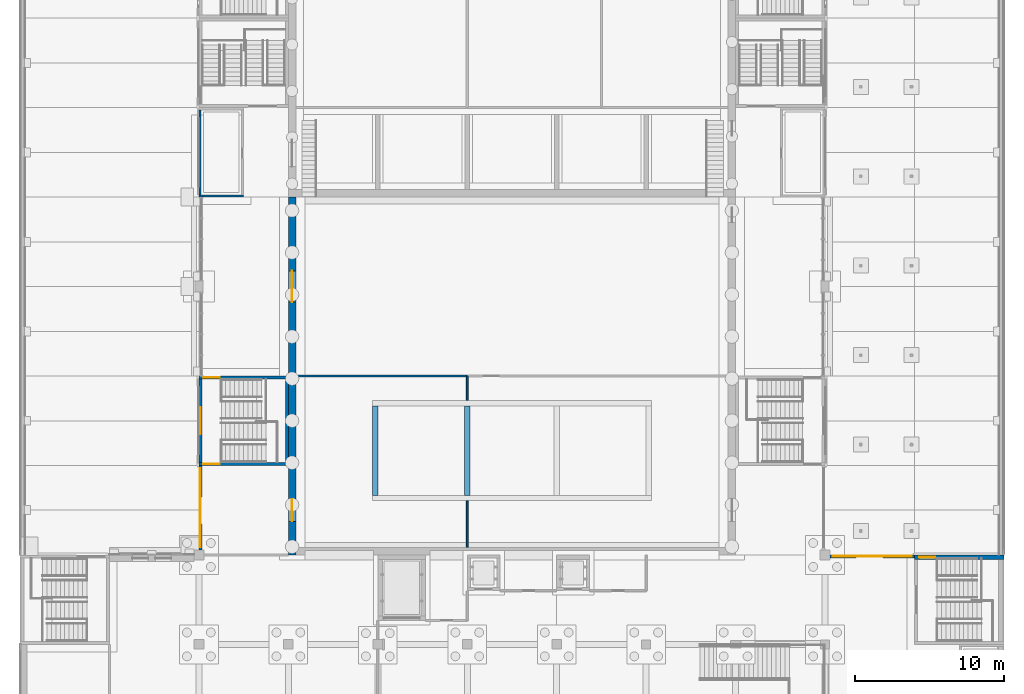
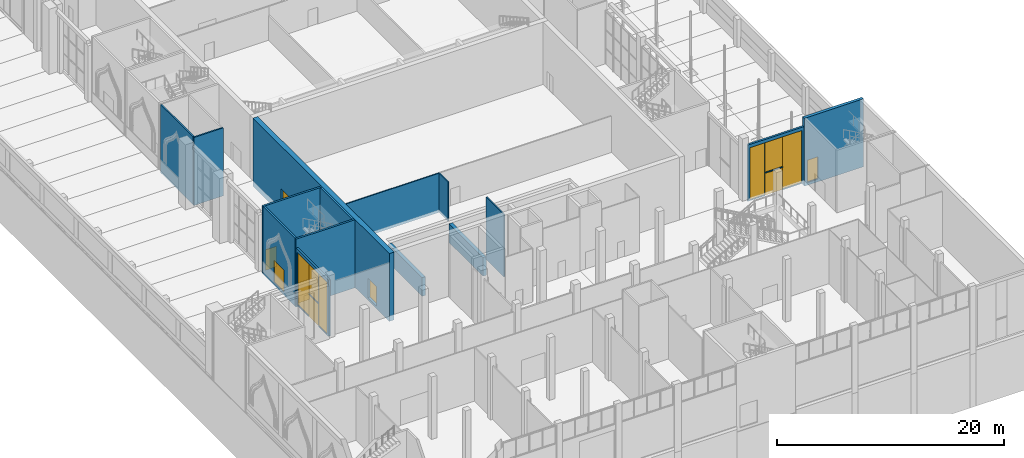
# One storey, part 43 of 95: 15 walls, 8 doors, 6 windows, 14 openings.
"""IFC4 building model written with IfcOpenShell, lengths in metres."""

from ifc_helpers import new_model, si_unit, direction, frame, frame_2d, origin, place, context, subcontext, project, spatial, rectangle, extrude, material, layer, layer_set, type_object, element, fill, save


model = new_model("IFC4")

# Units and contexts
model_context = context("Model", 3, precision=1e-05, world=origin(), true_north=direction((0.0, 1.0)))
body_context = subcontext(model_context, "Body", "Model", "MODEL_VIEW")
ifc_project = project(units=[si_unit("LENGTHUNIT", "METRE"), si_unit("AREAUNIT", "SQUARE_METRE"), si_unit("VOLUMEUNIT", "CUBIC_METRE"), si_unit("PLANEANGLEUNIT", "RADIAN"), si_unit("MASSUNIT", "GRAM", prefix="KILO")], contexts=[model_context])

# Site, building, storey
site_placement = place(None, origin())
site = spatial("IfcSite", under=ifc_project, at=site_placement, CompositionType="ELEMENT")
building_placement = place(site_placement, origin())
building = spatial("IfcBuilding", under=site, at=building_placement, Name="Saffron Lane Theatres", CompositionType="ELEMENT")
storey_placement = place(building_placement, origin())
storey = spatial("IfcBuildingStorey", under=building, at=storey_placement, Name="L00", CompositionType="ELEMENT", Elevation=0.0)

# Wall, openings, door, windows
ifc_material_1 = material(Name="Aluminium", Category="aluminium")
ifc_layer_1 = layer(ifc_material_1, 0.199951171875)
ifc_layer_set_1 = layer_set([ifc_layer_1], Name="Aluminium")
wall_type_1 = type_object("IfcWallType", Name="EX-SCREEN ALUMINIUM 200", PredefinedType="SOLIDWALL", material=ifc_layer_set_1)
wall_1_placement = place(storey_placement, frame((12.10009765625, 30.324951171875, 0.0), z_axis=(0.0, 0.0, 1.0), x_axis=(0.0, 1.0, 0.0)))
wall_1 = element("IfcWall", 1, at=wall_1_placement, inside=storey, type_object=wall_type_1, Name="External wall L00 02", PredefinedType="SOLIDWALL", context=body_context, shape_type="SweptSolid", body=[
    extrude(rectangle(XDim=5.675048828125, YDim=0.199951171875, at=frame_2d((2.83740234375, 0.0))), origin(), (0.0, 0.0, 1.0), 6.050048828125),
])
opening_1_placement = place(wall_1_placement, frame((1.7451171875, 0.0, 0.0)))
opening_1 = element("IfcOpeningElement", 2, at=opening_1_placement, cuts=wall_1, Name="Opening ED00-01", PredefinedType="OPENING", context=body_context, shape_type="SweptSolid", body=[
    extrude(rectangle(XDim=1.800048828125, YDim=2.39990234375, at=frame_2d((0.89990234375, 1.199951171875))), frame((0.0, 0.10986328125, 0.0), z_axis=(0.0, -1.0, 0.0), x_axis=(1.0, 0.0, 0.0)), (0.0, 0.0, 1.0), 0.219970703125),
])
opening_2_placement = place(wall_1_placement, frame((1.7451171875, 0.0, 2.5)))
opening_2 = element("IfcOpeningElement", 3, at=opening_2_placement, cuts=wall_1, Name="Opening WN00-003", PredefinedType="OPENING", context=body_context, shape_type="SweptSolid", body=[
    extrude(rectangle(XDim=1.800048828125, YDim=3.199951171875, at=frame_2d((0.89990234375, 1.60009765625))), frame((0.0, 0.10986328125, 0.0), z_axis=(0.0, -1.0, 0.0), x_axis=(1.0, 0.0, 0.0)), (0.0, 0.0, 1.0), 0.219970703125),
])
opening_3_placement = place(wall_1_placement, frame((0.199951171875, 0.0, 0.10009765625)))
opening_3 = element("IfcOpeningElement", 4, at=opening_3_placement, cuts=wall_1, Name="Opening WN00-004", PredefinedType="OPENING", context=body_context, shape_type="SweptSolid", body=[
    extrude(rectangle(XDim=1.544921875, YDim=5.60009765625, at=frame_2d((0.7724609375, 2.800048828125))), frame((0.0, 0.10986328125, 0.0), z_axis=(0.0, -1.0, 0.0), x_axis=(1.0, 0.0, 0.0)), (0.0, 0.0, 1.0), 0.219970703125),
])
opening_4_placement = place(wall_1_placement, frame((3.544921875, 0.0, 0.10009765625)))
opening_4 = element("IfcOpeningElement", 5, at=opening_4_placement, cuts=wall_1, Name="Opening WN00-005", PredefinedType="OPENING", context=body_context, shape_type="SweptSolid", body=[
    extrude(rectangle(XDim=1.929931640625, YDim=5.60009765625, at=frame_2d((0.96484375, 2.800048828125))), frame((0.0, 0.10986328125, 0.0), z_axis=(0.0, -1.0, 0.0), x_axis=(1.0, 0.0, 0.0)), (0.0, 0.0, 1.0), 0.219970703125),
])
ifc_material_2 = material(Name="Aluminium and glass door leaves", Category="aluminium")
door_type_1 = type_object("IfcDoorType", Name="EX-ENTRANCE DOOR PAIR 1800x2400", OperationType="DOUBLE_DOOR_SINGLE_SWING", PredefinedType="DOOR", material=ifc_material_2)
door_1_placement = place(opening_1_placement, origin())
door_1 = element("IfcDoor", 6, at=door_1_placement, inside=storey, type_object=door_type_1, Name="Stage Door Vestibule West door", OperationType="DOUBLE_DOOR_SINGLE_SWING", OverallHeight=2.39990234375, OverallWidth=1.800048828125, PredefinedType="DOOR", context=body_context, shape_type="SweptSolid", body=[
    extrude(rectangle(XDim=1.800048828125, YDim=2.39990234375, at=frame_2d((0.89990234375, 1.199951171875))), frame((0.0, 0.02490234375, 0.0), z_axis=(0.0, -1.0, 0.0), x_axis=(1.0, 0.0, 0.0)), (0.0, 0.0, 1.0), 0.050048828125),
])
fill(opening_1, door_1)
ifc_material_3 = material(Name="Aluminium", Category="aluminium")
window_type_1 = type_object("IfcWindowType", Name="EX-WINDOW 1545x5600", PartitioningType="SINGLE_PANEL", PredefinedType="WINDOW", material=ifc_material_3)
window_1_placement = place(opening_3_placement, origin())
window_1 = element("IfcWindow", 7, at=window_1_placement, inside=storey, type_object=window_type_1, Name="Window L00 004", OverallHeight=5.60009765625, OverallWidth=1.544921875, PartitioningType="SINGLE_PANEL", PredefinedType="WINDOW", context=body_context, shape_type="SweptSolid", body=[
    extrude(rectangle(XDim=1.544921875, YDim=5.60009765625, at=frame_2d((0.7724609375, 2.800048828125))), frame((0.0, 0.030029296875, 0.0), z_axis=(0.0, -1.0, 0.0), x_axis=(1.0, 0.0, 0.0)), (0.0, 0.0, 1.0), 0.06005859375),
])
fill(opening_3, window_1)
ifc_material_4 = material(Name="Aluminium", Category="aluminium")
window_type_2 = type_object("IfcWindowType", Name="EX-WINDOW 1800x3200", PartitioningType="SINGLE_PANEL", PredefinedType="WINDOW", material=ifc_material_4)
window_2_placement = place(opening_2_placement, origin())
window_2 = element("IfcWindow", 8, at=window_2_placement, inside=storey, type_object=window_type_2, Name="Window L00 003", OverallHeight=3.199951171875, OverallWidth=1.800048828125, PartitioningType="SINGLE_PANEL", PredefinedType="WINDOW", context=body_context, shape_type="SweptSolid", body=[
    extrude(rectangle(XDim=1.800048828125, YDim=3.199951171875, at=frame_2d((0.89990234375, 1.60009765625))), frame((0.0, 0.030029296875, 0.0), z_axis=(0.0, -1.0, 0.0), x_axis=(1.0, 0.0, 0.0)), (0.0, 0.0, 1.0), 0.06005859375),
])
fill(opening_2, window_2)
ifc_material_5 = material(Name="Aluminium", Category="aluminium")
window_type_3 = type_object("IfcWindowType", Name="EX-WINDOW 1930x5600", PartitioningType="SINGLE_PANEL", PredefinedType="WINDOW", material=ifc_material_5)
window_3_placement = place(opening_4_placement, origin())
window_3 = element("IfcWindow", 9, at=window_3_placement, inside=storey, type_object=window_type_3, Name="Window L00 005", OverallHeight=5.60009765625, OverallWidth=1.929931640625, PartitioningType="SINGLE_PANEL", PredefinedType="WINDOW", context=body_context, shape_type="SweptSolid", body=[
    extrude(rectangle(XDim=1.929931640625, YDim=5.60009765625, at=frame_2d((0.96484375, 2.800048828125))), frame((0.0, 0.030029296875, 0.0), z_axis=(0.0, -1.0, 0.0), x_axis=(1.0, 0.0, 0.0)), (0.0, 0.0, 1.0), 0.06005859375),
])
fill(opening_4, window_3)

wall_2_placement = place(storey_placement, frame((54.324951171875, 29.89990234375, 0.0), z_axis=(0.0, 0.0, 1.0), x_axis=(1.0, 0.0, 0.0)))
wall_2 = element("IfcWall", 10, at=wall_2_placement, inside=storey, type_object=wall_type_1, Name="External wall L00 17", PredefinedType="SOLIDWALL", context=body_context, shape_type="SweptSolid", body=[
    extrude(rectangle(XDim=5.675048828125, YDim=0.199951171875, at=frame_2d((2.83740234375, 0.0))), origin(), (0.0, 0.0, 1.0), 6.050048828125),
])
opening_5_placement = place(wall_2_placement, frame((1.7451171875, 0.0, 0.0)))
opening_5 = element("IfcOpeningElement", 11, at=opening_5_placement, cuts=wall_2, Name="Opening ED00-08", PredefinedType="OPENING", context=body_context, shape_type="SweptSolid", body=[
    extrude(rectangle(XDim=1.800048828125, YDim=2.39990234375, at=frame_2d((0.89990234375, 1.199951171875))), frame((0.0, 0.10986328125, 0.0), z_axis=(0.0, -1.0, 0.0), x_axis=(1.0, 0.0, 0.0)), (0.0, 0.0, 1.0), 0.219970703125),
])
opening_6_placement = place(wall_2_placement, frame((1.7451171875, 0.0, 2.5)))
opening_6 = element("IfcOpeningElement", 12, at=opening_6_placement, cuts=wall_2, Name="Opening WN00-022", PredefinedType="OPENING", context=body_context, shape_type="SweptSolid", body=[
    extrude(rectangle(XDim=1.800048828125, YDim=3.199951171875, at=frame_2d((0.89990234375, 1.60009765625))), frame((0.0, 0.10986328125, 0.0), z_axis=(0.0, -1.0, 0.0), x_axis=(1.0, 0.0, 0.0)), (0.0, 0.0, 1.0), 0.219970703125),
])
opening_7_placement = place(wall_2_placement, frame((0.199951171875, 0.0, 0.10009765625)))
opening_7 = element("IfcOpeningElement", 13, at=opening_7_placement, cuts=wall_2, Name="Opening WN00-023", PredefinedType="OPENING", context=body_context, shape_type="SweptSolid", body=[
    extrude(rectangle(XDim=1.544921875, YDim=5.60009765625, at=frame_2d((0.7724609375, 2.800048828125))), frame((0.0, 0.10986328125, 0.0), z_axis=(0.0, -1.0, 0.0), x_axis=(1.0, 0.0, 0.0)), (0.0, 0.0, 1.0), 0.219970703125),
])
opening_8_placement = place(wall_2_placement, frame((3.544921875, 0.0, 0.10009765625)))
opening_8 = element("IfcOpeningElement", 14, at=opening_8_placement, cuts=wall_2, Name="Opening WN00-024", PredefinedType="OPENING", context=body_context, shape_type="SweptSolid", body=[
    extrude(rectangle(XDim=1.929931640625, YDim=5.60009765625, at=frame_2d((0.96484375, 2.800048828125))), frame((0.0, 0.10986328125, 0.0), z_axis=(0.0, -1.0, 0.0), x_axis=(1.0, 0.0, 0.0)), (0.0, 0.0, 1.0), 0.219970703125),
])
door_2_placement = place(opening_5_placement, origin())
door_2 = element("IfcDoor", 15, at=door_2_placement, inside=storey, type_object=door_type_1, Name="Studio Foyer door", OperationType="DOUBLE_DOOR_SINGLE_SWING", OverallHeight=2.39990234375, OverallWidth=1.800048828125, PredefinedType="DOOR", context=body_context, shape_type="SweptSolid", body=[
    extrude(rectangle(XDim=1.800048828125, YDim=2.39990234375, at=frame_2d((0.89990234375, 1.199951171875))), frame((0.0, 0.02490234375, 0.0), z_axis=(0.0, -1.0, 0.0), x_axis=(1.0, 0.0, 0.0)), (0.0, 0.0, 1.0), 0.050048828125),
])
fill(opening_5, door_2)
window_4_placement = place(opening_7_placement, origin())
window_4 = element("IfcWindow", 16, at=window_4_placement, inside=storey, type_object=window_type_1, Name="Window L00 023", OverallHeight=5.60009765625, OverallWidth=1.544921875, PartitioningType="SINGLE_PANEL", PredefinedType="WINDOW", context=body_context, shape_type="SweptSolid", body=[
    extrude(rectangle(XDim=1.544921875, YDim=5.60009765625, at=frame_2d((0.7724609375, 2.800048828125))), frame((0.0, 0.030029296875, 0.0), z_axis=(0.0, -1.0, 0.0), x_axis=(1.0, 0.0, 0.0)), (0.0, 0.0, 1.0), 0.06005859375),
])
fill(opening_7, window_4)
window_5_placement = place(opening_6_placement, origin())
window_5 = element("IfcWindow", 17, at=window_5_placement, inside=storey, type_object=window_type_2, Name="Window L00 022", OverallHeight=3.199951171875, OverallWidth=1.800048828125, PartitioningType="SINGLE_PANEL", PredefinedType="WINDOW", context=body_context, shape_type="SweptSolid", body=[
    extrude(rectangle(XDim=1.800048828125, YDim=3.199951171875, at=frame_2d((0.89990234375, 1.60009765625))), frame((0.0, 0.030029296875, 0.0), z_axis=(0.0, -1.0, 0.0), x_axis=(1.0, 0.0, 0.0)), (0.0, 0.0, 1.0), 0.06005859375),
])
fill(opening_6, window_5)
window_6_placement = place(opening_8_placement, origin())
window_6 = element("IfcWindow", 18, at=window_6_placement, inside=storey, type_object=window_type_3, Name="Window L00 024", OverallHeight=5.60009765625, OverallWidth=1.929931640625, PartitioningType="SINGLE_PANEL", PredefinedType="WINDOW", context=body_context, shape_type="SweptSolid", body=[
    extrude(rectangle(XDim=1.929931640625, YDim=5.60009765625, at=frame_2d((0.96484375, 2.800048828125))), frame((0.0, 0.030029296875, 0.0), z_axis=(0.0, -1.0, 0.0), x_axis=(1.0, 0.0, 0.0)), (0.0, 0.0, 1.0), 0.06005859375),
])
fill(opening_8, window_6)

# Walls
ifc_material_6 = material(Name="Masonry block partition", Category="masonry")
ifc_layer_2 = layer(ifc_material_6, 0.110107421875)
ifc_layer_set_2 = layer_set([ifc_layer_2], Name="Masonry block partition")
wall_type_2 = type_object("IfcWallType", Name="IN-BLOCK PARTITION 110", PredefinedType="PARTITIONING", material=ifc_layer_set_2)
wall_3_placement = place(storey_placement, frame((18.52001953125, 42.0, 0.0), z_axis=(0.0, 0.0, 1.0), x_axis=(1.0, 0.0, 0.0)))
element("IfcWall", 19, at=wall_3_placement, inside=storey, type_object=wall_type_2, Name="PW-L00-001", PredefinedType="PARTITIONING", context=body_context, shape_type="SweptSolid", body=[
    extrude(rectangle(XDim=11.47998046875, YDim=0.110107421875, at=frame_2d((5.739990234375, 0.0))), origin(), (0.0, 0.0, 1.0), 4.199951171875),
])
wall_4_placement = place(storey_placement, frame((30.0, 40.3701171875, 0.0), z_axis=(0.0, 0.0, 1.0), x_axis=(0.0, 1.0, 0.0)))
element("IfcWall", 20, at=wall_4_placement, inside=storey, type_object=wall_type_2, Name="PW-L00-002", PredefinedType="PARTITIONING", context=body_context, shape_type="SweptSolid", body=[
    extrude(rectangle(XDim=1.6298828125, YDim=0.110107421875, at=frame_2d((0.81494140625, 0.0))), origin(), (0.0, 0.0, 1.0), 4.199951171875),
])
wall_5_placement = place(storey_placement, frame((30.0, 30.52001953125, 0.0), z_axis=(0.0, 0.0, 1.0), x_axis=(0.0, 1.0, 0.0)))
element("IfcWall", 21, at=wall_5_placement, inside=storey, type_object=wall_type_2, Name="PW-L00-003", PredefinedType="PARTITIONING", context=body_context, shape_type="SweptSolid", body=[
    extrude(rectangle(XDim=3.10986328125, YDim=0.110107421875, at=frame_2d((1.554931640625, 0.0))), origin(), (0.0, 0.0, 1.0), 6.699951171875),
])
ifc_material_7 = material(Name="Concrete N50 (50 MPa)", Category="concrete")
ifc_layer_3 = layer(ifc_material_7, 0.14990234375)
ifc_layer_set_3 = layer_set([ifc_layer_3], Name="Concrete N50 (50 MPa)")
wall_type_3 = type_object("IfcWallType", Name="RC-CORE 150", PredefinedType="SHEAR", material=ifc_layer_set_3)
wall_6_placement = place(storey_placement, frame((12.0, 54.074951171875, -0.300048828125), z_axis=(0.0, 0.0, 1.0), x_axis=(1.0, 0.0, 0.0)))
element("IfcWall", 22, at=wall_6_placement, inside=storey, type_object=wall_type_3, Name="W-R3-S-L00", PredefinedType="SHEAR", context=body_context, shape_type="SweptSolid", body=[
    extrude(rectangle(XDim=3.0, YDim=0.14990234375, at=frame_2d((1.5, 0.0))), origin(), (0.0, 0.0, 1.0), 7.300048828125),
])

# Wall, opening, door
ifc_material_8 = material(Name="Concrete N50 (50 MPa)", Category="concrete")
ifc_layer_4 = layer(ifc_material_8, 0.199951171875)
ifc_layer_set_4 = layer_set([ifc_layer_4], Name="Concrete N50 (50 MPa)")
wall_type_4 = type_object("IfcWallType", Name="RC-CORE 200", PredefinedType="SHEAR", material=ifc_layer_set_4)
wall_7_placement = place(storey_placement, frame((12.0, 41.89990234375, -0.300048828125), z_axis=(0.0, 0.0, 1.0), x_axis=(1.0, 0.0, 0.0)))
wall_7 = element("IfcWall", 23, at=wall_7_placement, inside=storey, type_object=wall_type_4, Name="W-ST5-N-L00", PredefinedType="SHEAR", context=body_context, shape_type="SweptSolid", body=[
    extrude(rectangle(XDim=6.0, YDim=0.199951171875, at=frame_2d((3.0, 0.0))), origin(), (0.0, 0.0, 1.0), 7.300048828125),
])
opening_9_placement = place(wall_7_placement, frame((0.300048828125, 0.0, 0.300048828125)))
opening_9 = element("IfcOpeningElement", 24, at=opening_9_placement, cuts=wall_7, Name="Opening D00-40", PredefinedType="OPENING", context=body_context, shape_type="SweptSolid", body=[
    extrude(rectangle(XDim=1.10009765625, YDim=2.199951171875, at=frame_2d((0.550048828125, 1.10009765625))), frame((0.0, 0.10986328125, 0.0), z_axis=(0.0, -1.0, 0.0), x_axis=(1.0, 0.0, 0.0)), (0.0, 0.0, 1.0), 0.219970703125),
])
ifc_material_9 = material(Name="Steel faced fire door leaf", Category="steel")
door_type_2 = type_object("IfcDoorType", Name="IN-DOOR 1100x2200 FD120", OperationType="NOTDEFINED", PredefinedType="DOOR", material=ifc_material_9)
door_3_placement = place(opening_9_placement, frame((1.10009765625, 0.0, 0.0), z_axis=(0.0, 0.0, 1.0), x_axis=(-1.0, 0.0, 0.0)))
door_3 = element("IfcDoor", 25, at=door_3_placement, inside=storey, type_object=door_type_2, Name="D00-40", OperationType="SINGLE_SWING_LEFT", OverallHeight=2.199951171875, OverallWidth=1.10009765625, PredefinedType="DOOR", context=body_context, shape_type="SweptSolid", body=[
    extrude(rectangle(XDim=1.10009765625, YDim=2.199951171875, at=frame_2d((0.550048828125, 1.10009765625))), frame((0.0, 0.02490234375, 0.0), z_axis=(0.0, -1.0, 0.0), x_axis=(1.0, 0.0, 0.0)), (0.0, 0.0, 1.0), 0.050048828125),
])
fill(opening_9, door_3)

wall_8_placement = place(storey_placement, frame((12.0, 36.10009765625, -0.300048828125), z_axis=(0.0, 0.0, 1.0), x_axis=(1.0, 0.0, 0.0)))
wall_8 = element("IfcWall", 26, at=wall_8_placement, inside=storey, type_object=wall_type_4, Name="W-ST5-S-L00", PredefinedType="SHEAR", context=body_context, shape_type="SweptSolid", body=[
    extrude(rectangle(XDim=6.0, YDim=0.199951171875, at=frame_2d((3.0, 0.0))), origin(), (0.0, 0.0, 1.0), 7.300048828125),
])
opening_10_placement = place(wall_8_placement, frame((0.300048828125, 0.0, 0.300048828125)))
opening_10 = element("IfcOpeningElement", 27, at=opening_10_placement, cuts=wall_8, Name="Opening D00-39", PredefinedType="OPENING", context=body_context, shape_type="SweptSolid", body=[
    extrude(rectangle(XDim=1.10009765625, YDim=2.199951171875, at=frame_2d((0.550048828125, 1.10009765625))), frame((0.0, 0.10986328125, 0.0), z_axis=(0.0, -1.0, 0.0), x_axis=(1.0, 0.0, 0.0)), (0.0, 0.0, 1.0), 0.219970703125),
])
door_4_placement = place(opening_10_placement, origin())
door_4 = element("IfcDoor", 28, at=door_4_placement, inside=storey, type_object=door_type_2, Name="D00-39", OperationType="SINGLE_SWING_RIGHT", OverallHeight=2.199951171875, OverallWidth=1.10009765625, PredefinedType="DOOR", context=body_context, shape_type="SweptSolid", body=[
    extrude(rectangle(XDim=1.10009765625, YDim=2.199951171875, at=frame_2d((0.550048828125, 1.10009765625))), frame((0.0, 0.02490234375, 0.0), z_axis=(0.0, -1.0, 0.0), x_axis=(1.0, 0.0, 0.0)), (0.0, 0.0, 1.0), 0.050048828125),
])
fill(opening_10, door_4)

# Walls
wall_9_placement = place(storey_placement, frame((17.89990234375, 36.199951171875, -0.300048828125), z_axis=(0.0, 0.0, 1.0), x_axis=(0.0, 1.0, 0.0)))
element("IfcWall", 29, at=wall_9_placement, inside=storey, type_object=wall_type_4, Name="W-ST5-E-L00", PredefinedType="SHEAR", context=body_context, shape_type="SweptSolid", body=[
    extrude(rectangle(XDim=5.60009765625, YDim=0.199951171875, at=frame_2d((2.800048828125, 0.0))), origin(), (0.0, 0.0, 1.0), 7.300048828125),
])
ifc_material_10 = material(Name="Concrete N50 (50 MPa)", Category="concrete")
ifc_layer_5 = layer(ifc_material_10, 0.14990234375)
ifc_layer_set_5 = layer_set([ifc_layer_5], Name="Concrete N50 (50 MPa)")
wall_type_5 = type_object("IfcWallType", Name="RC-CORE EXTERNAL 150", PredefinedType="SHEAR", material=ifc_layer_set_5)
wall_10_placement = place(storey_placement, frame((12.074951171875, 54.14990234375, -0.300048828125), z_axis=(0.0, 0.0, 1.0), x_axis=(0.0, 1.0, 0.0)))
element("IfcWall", 30, at=wall_10_placement, inside=storey, type_object=wall_type_5, Name="W-R3-W-L00", PredefinedType="SHEAR", context=body_context, shape_type="SweptSolid", body=[
    extrude(rectangle(XDim=5.7001953125, YDim=0.14990234375, at=frame_2d((2.85009765625, 0.0))), origin(), (0.0, 0.0, 1.0), 7.300048828125),
])

# Wall, opening, door
ifc_material_11 = material(Name="Concrete N50 (50 MPa)", Category="concrete")
ifc_layer_6 = layer(ifc_material_11, 0.199951171875)
ifc_layer_set_6 = layer_set([ifc_layer_6], Name="Concrete N50 (50 MPa)")
wall_type_6 = type_object("IfcWallType", Name="RC-CORE EXTERNAL 200", PredefinedType="SHEAR", material=ifc_layer_set_6)
wall_11_placement = place(storey_placement, frame((12.10009765625, 36.199951171875, -0.300048828125), z_axis=(0.0, 0.0, 1.0), x_axis=(0.0, 1.0, 0.0)))
wall_11 = element("IfcWall", 31, at=wall_11_placement, inside=storey, type_object=wall_type_6, Name="W-ST5-W-L00", PredefinedType="SHEAR", context=body_context, shape_type="SweptSolid", body=[
    extrude(rectangle(XDim=5.60009765625, YDim=0.199951171875, at=frame_2d((2.800048828125, 0.0))), origin(), (0.0, 0.0, 1.0), 7.300048828125),
])
opening_11_placement = place(wall_11_placement, frame((1.89990234375, 0.0, 0.300048828125)))
opening_11 = element("IfcOpeningElement", 32, at=opening_11_placement, cuts=wall_11, Name="Opening EDST5", PredefinedType="OPENING", context=body_context, shape_type="SweptSolid", body=[
    extrude(rectangle(XDim=1.800048828125, YDim=2.39990234375, at=frame_2d((0.89990234375, 1.199951171875))), frame((0.0, 0.10986328125, 0.0), z_axis=(0.0, -1.0, 0.0), x_axis=(1.0, 0.0, 0.0)), (0.0, 0.0, 1.0), 0.219970703125),
])
ifc_material_12 = material(Name="Steel faced fire door leaf", Category="steel")
door_type_3 = type_object("IfcDoorType", Name="EX-EXIT DOOR PAIR 1800x2400", OperationType="DOUBLE_DOOR_SINGLE_SWING", PredefinedType="DOOR", material=ifc_material_12)
door_5_placement = place(opening_11_placement, origin())
door_5 = element("IfcDoor", 33, at=door_5_placement, inside=storey, type_object=door_type_3, Name="Exit door ST5", OperationType="DOUBLE_DOOR_SINGLE_SWING", OverallHeight=2.39990234375, OverallWidth=1.800048828125, PredefinedType="DOOR", context=body_context, shape_type="SweptSolid", body=[
    extrude(rectangle(XDim=1.800048828125, YDim=2.39990234375, at=frame_2d((0.89990234375, 1.199951171875))), frame((0.0, 0.02490234375, 0.0), z_axis=(0.0, -1.0, 0.0), x_axis=(1.0, 0.0, 0.0)), (0.0, 0.0, 1.0), 0.050048828125),
])
fill(opening_11, door_5)

ifc_material_13 = material(Name="Concrete N50 (50 MPa)", Category="concrete")
ifc_layer_7 = layer(ifc_material_13, 0.300048828125)
ifc_layer_set_7 = layer_set([ifc_layer_7], Name="Concrete N50 (50 MPa)")
wall_type_7 = type_object("IfcWallType", Name="RC-CORE EXTERNAL 300", PredefinedType="SHEAR", material=ifc_layer_set_7)
wall_12_placement = place(storey_placement, frame((60.0, 29.85009765625, -0.300048828125), z_axis=(0.0, 0.0, 1.0), x_axis=(1.0, 0.0, 0.0)))
wall_12 = element("IfcWall", 34, at=wall_12_placement, inside=storey, type_object=wall_type_7, Name="W-ST13-N-L00", PredefinedType="SHEAR", context=body_context, shape_type="SweptSolid", body=[
    extrude(rectangle(XDim=6.0, YDim=0.300048828125, at=frame_2d((3.0, 0.0))), origin(), (0.0, 0.0, 1.0), 7.300048828125),
])
opening_12_placement = place(wall_12_placement, frame((0.300048828125, 0.0, 0.300048828125)))
opening_12 = element("IfcOpeningElement", 35, at=opening_12_placement, cuts=wall_12, Name="Opening EDST13", PredefinedType="OPENING", context=body_context, shape_type="SweptSolid", body=[
    extrude(rectangle(XDim=1.10009765625, YDim=2.39990234375, at=frame_2d((0.550048828125, 1.199951171875))), frame((0.0, 0.16015625, 0.0), z_axis=(0.0, -1.0, 0.0), x_axis=(1.0, 0.0, 0.0)), (0.0, 0.0, 1.0), 0.320068359375),
])
door_6_placement = place(opening_12_placement, origin())
door_6 = element("IfcDoor", 36, at=door_6_placement, inside=storey, type_object=door_type_3, Name="Exit door ST13", OperationType="DOUBLE_DOOR_SINGLE_SWING", OverallHeight=2.39990234375, OverallWidth=1.10009765625, PredefinedType="DOOR", context=body_context, shape_type="SweptSolid", body=[
    extrude(rectangle(XDim=1.10009765625, YDim=2.39990234375, at=frame_2d((0.550048828125, 1.199951171875))), frame((0.0, 0.02490234375, 0.0), z_axis=(0.0, -1.0, 0.0), x_axis=(1.0, 0.0, 0.0)), (0.0, 0.0, 1.0), 0.050048828125),
])
fill(opening_12, door_6)

# Walls
ifc_material_14 = material(Name="Concrete N50 (50 MPa)", Category="concrete")
ifc_layer_8 = layer(ifc_material_14, 0.35009765625)
ifc_layer_set_8 = layer_set([ifc_layer_8], Name="Concrete N50 (50 MPa)")
wall_type_8 = type_object("IfcWallType", Name="RC-WALL 350", PredefinedType="SHEAR", material=ifc_layer_set_8)
for number, where, z_axis, x_axis, name in (
    (37, (23.824951171875, 34.0, -2.0), (0.0, 0.0, 1.0), (0.0, 1.0, 0.0), "W-STAGELIFT-W-L00"),
    (38, (30.0, 34.0, -2.0), (0.0, 0.0, 1.0), (0.0, 1.0, 0.0), "W-STAGELIFT-D1-L00"),
):
    element("IfcWall", number, at=place(storey_placement, frame(where, z_axis=z_axis, x_axis=x_axis)), inside=storey, type_object=wall_type_8, Name=name, PredefinedType="SHEAR", context=body_context, shape_type="SweptSolid", body=[
        extrude(rectangle(XDim=6.0, YDim=0.35009765625, at=frame_2d((3.0, 0.0))), origin(), (0.0, 0.0, 1.0), 2.0),
    ])

# Wall, openings, doors
ifc_material_15 = material(Name="Concrete N50 (50 MPa)", Category="concrete")
ifc_layer_9 = layer(ifc_material_15, 0.5)
ifc_layer_set_9 = layer_set([ifc_layer_9], Name="Concrete N50 (50 MPa)")
wall_type_9 = type_object("IfcWallType", Name="RC-WALL 500", PredefinedType="SHEAR", material=ifc_layer_set_9)
wall_13_placement = place(storey_placement, frame((18.25, 30.0, -0.300048828125), z_axis=(0.0, 0.0, 1.0), x_axis=(0.0, 1.0, 0.0)))
wall_13 = element("IfcWall", 39, at=wall_13_placement, inside=storey, type_object=wall_type_9, Name="W-STGS-W-L00", PredefinedType="SHEAR", context=body_context, shape_type="SweptSolid", body=[
    extrude(rectangle(XDim=24.0, YDim=0.5, at=frame_2d((12.0, 0.0))), origin(), (0.0, 0.0, 1.0), 7.300048828125),
])
opening_13_placement = place(wall_13_placement, frame((16.949951171875, 0.0, 0.300048828125)))
opening_13 = element("IfcOpeningElement", 40, at=opening_13_placement, cuts=wall_13, Name="Opening D00-16", PredefinedType="OPENING", context=body_context, shape_type="SweptSolid", body=[
    extrude(rectangle(XDim=2.10009765625, YDim=2.39990234375, at=frame_2d((1.050048828125, 1.199951171875))), frame((0.0, 0.260009765625, 0.0), z_axis=(0.0, -1.0, 0.0), x_axis=(1.0, 0.0, 0.0)), (0.0, 0.0, 1.0), 0.52001953125),
])
opening_14_placement = place(wall_13_placement, frame((2.25, 0.0, 0.300048828125)))
opening_14 = element("IfcOpeningElement", 41, at=opening_14_placement, cuts=wall_13, Name="Opening D00-17", PredefinedType="OPENING", context=body_context, shape_type="SweptSolid", body=[
    extrude(rectangle(XDim=1.5, YDim=2.10009765625, at=frame_2d((0.75, 1.050048828125))), frame((0.0, 0.260009765625, 0.0), z_axis=(0.0, -1.0, 0.0), x_axis=(1.0, 0.0, 0.0)), (0.0, 0.0, 1.0), 0.52001953125),
])
ifc_material_16 = material(Name="Steel faced fire door leaf", Category="steel")
door_type_4 = type_object("IfcDoorType", Name="IN-DOOR 1500x2100 FD120", OperationType="DOUBLE_DOOR_SINGLE_SWING", PredefinedType="DOOR", material=ifc_material_16)
door_7_placement = place(opening_14_placement, frame((1.5, 0.0, 0.0), z_axis=(0.0, 0.0, 1.0), x_axis=(-1.0, 0.0, 0.0)))
door_7 = element("IfcDoor", 42, at=door_7_placement, inside=storey, type_object=door_type_4, Name="D00-17", OperationType="DOUBLE_DOOR_SINGLE_SWING", OverallHeight=2.10009765625, OverallWidth=1.5, PredefinedType="DOOR", context=body_context, shape_type="SweptSolid", body=[
    extrude(rectangle(XDim=1.5, YDim=2.10009765625, at=frame_2d((0.75, 1.050048828125))), frame((0.0, 0.02490234375, 0.0), z_axis=(0.0, -1.0, 0.0), x_axis=(1.0, 0.0, 0.0)), (0.0, 0.0, 1.0), 0.050048828125),
])
fill(opening_14, door_7)
ifc_material_17 = material(Name="Steel faced fire door leaf", Category="steel")
door_type_5 = type_object("IfcDoorType", Name="IN-DOOR 2100x2400 FD120", OperationType="DOUBLE_DOOR_SINGLE_SWING", PredefinedType="DOOR", material=ifc_material_17)
door_8_placement = place(opening_13_placement, origin())
door_8 = element("IfcDoor", 43, at=door_8_placement, inside=storey, type_object=door_type_5, Name="D00-16", OperationType="DOUBLE_DOOR_SINGLE_SWING", OverallHeight=2.39990234375, OverallWidth=2.10009765625, PredefinedType="DOOR", context=body_context, shape_type="SweptSolid", body=[
    extrude(rectangle(XDim=2.10009765625, YDim=2.39990234375, at=frame_2d((1.050048828125, 1.199951171875))), frame((0.0, 0.02490234375, 0.0), z_axis=(0.0, -1.0, 0.0), x_axis=(1.0, 0.0, 0.0)), (0.0, 0.0, 1.0), 0.050048828125),
])
fill(opening_13, door_8)

save(model, "model.ifc")
